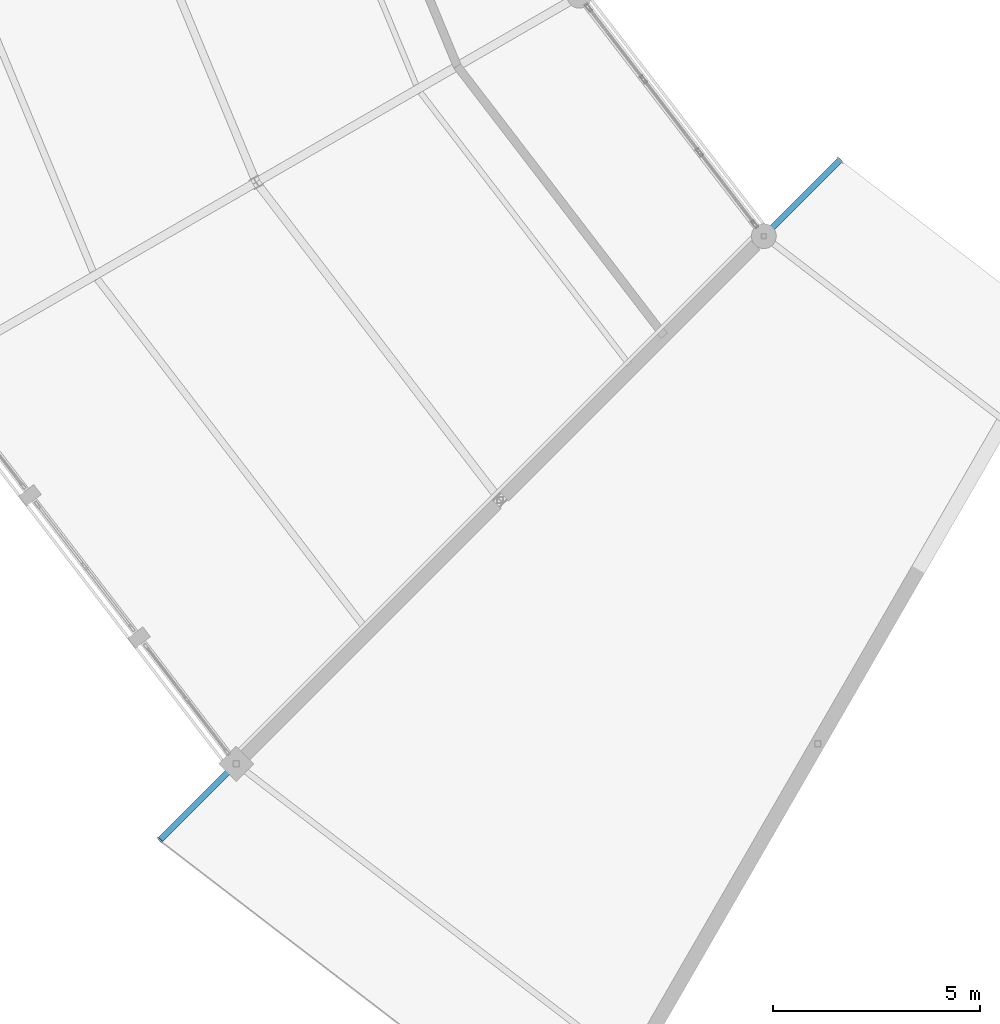
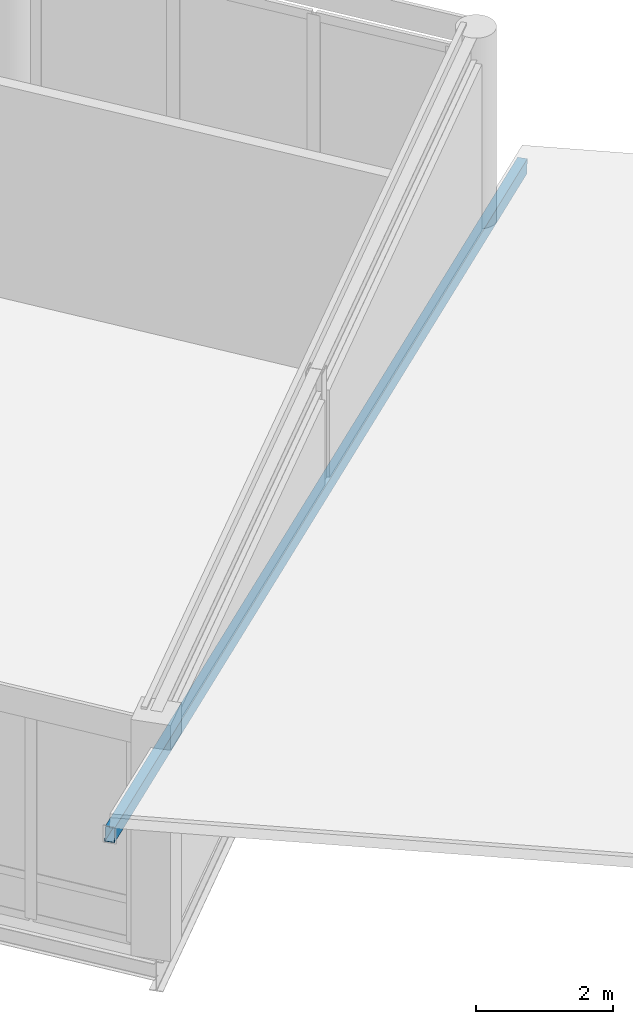
# One storey, part 36 of 200: 1 member.
"""IFC4 building model written with IfcOpenShell, lengths in metres."""

from ifc_helpers import new_model, si_unit, direction, frame, origin, origin_2d, place, context, subcontext, project, spatial, hollow_rectangle, extrude, material, material_profile, profile_set, type_object, element, save


model = new_model("IFC4")

# Units and contexts
model_context = context("Model", 3, precision=1e-05, world=origin(), true_north=direction((0.0, 1.0)))
body_context = subcontext(model_context, "Body", "Model", "MODEL_VIEW")
ifc_project = project(units=[si_unit("LENGTHUNIT", "METRE"), si_unit("AREAUNIT", "SQUARE_METRE"), si_unit("VOLUMEUNIT", "CUBIC_METRE"), si_unit("PLANEANGLEUNIT", "RADIAN"), si_unit("MASSUNIT", "GRAM", prefix="KILO")], contexts=[model_context])

# Site, building, storey
site_placement = place(None, origin())
site = spatial("IfcSite", under=ifc_project, at=site_placement, CompositionType="ELEMENT")
building_placement = place(site_placement, origin())
building = spatial("IfcBuilding", under=site, at=building_placement, Name="Vondelvale Polytechnic", CompositionType="ELEMENT")
storey_placement = place(building_placement, frame((0.0, 0.0, 13.800048828125)))
storey = spatial("IfcBuildingStorey", under=building, at=storey_placement, Name="L03", CompositionType="ELEMENT", Elevation=13.800048828125)

# Member
ifc_material = material(Name="Steel C350L0 (fy = 350 MPa)", Category="steel")
ifc_material_profile = material_profile(ifc_material, hollow_rectangle(XDim=0.14990234375, YDim=0.25, WallThickness=0.006103515625, at=origin_2d()), Name="250x150x6.0RHS")
ifc_profile_set = profile_set([ifc_material_profile], Name="Steel C350L0 (fy = 350 MPa)")
member_type = type_object("IfcMemberType", Name="RAFTER RHS250", PredefinedType="RAFTER", material=ifc_profile_set)
member_placement = place(storey_placement, frame((67.634521484375, 37.634521484375, 3.765625), z_axis=(0.697808205371, 0.697808205371, -0.161639775528), x_axis=(-0.707106781187, 0.707106781187, 0.0)))
element("IfcMember", 1, at=member_placement, inside=storey, type_object=member_type, Name="Ring inward-sloping rafter 15", PredefinedType="RAFTER", context=body_context, shape_type="SweptSolid", body=[
    extrude(hollow_rectangle(XDim=0.14990234375, YDim=0.25, WallThickness=0.006103515625, at=origin_2d()), origin(), (0.0, 0.0, 1.0), 23.50927734375),
])

save(model, "model.ifc")
